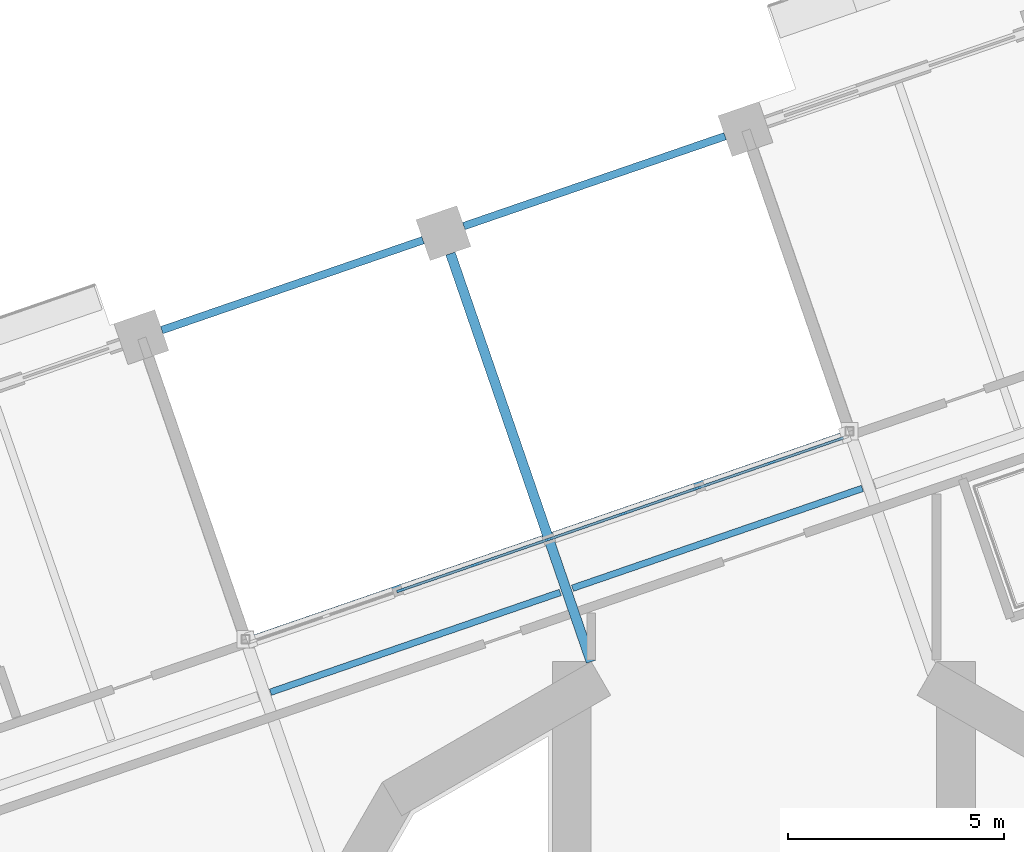
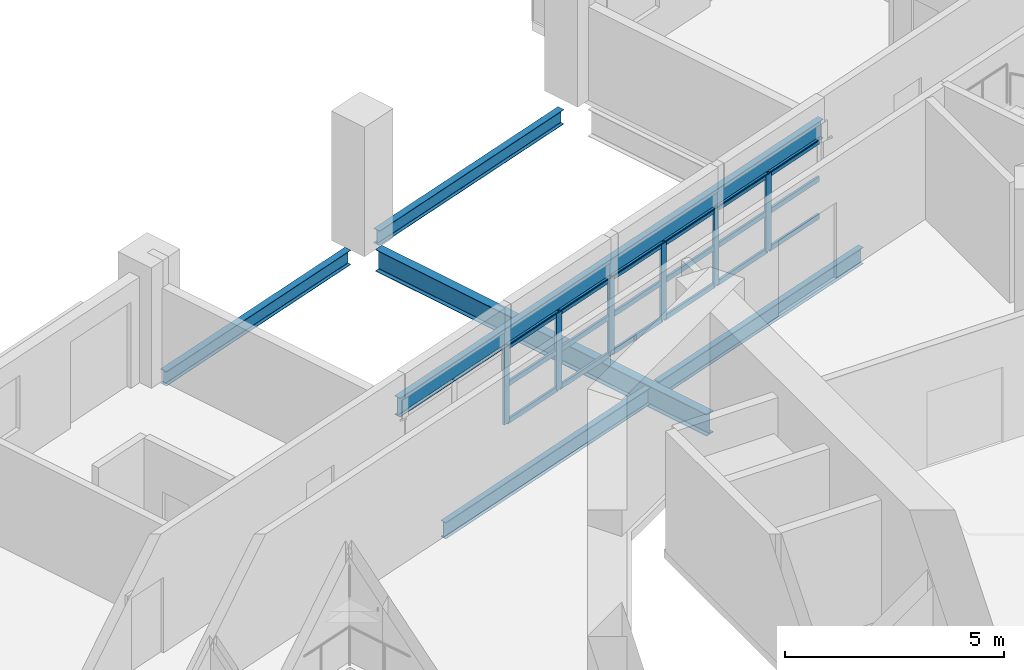
# One storey, part 3 of 22: 24 members, 6 beams, 1 element without a shape of its own.
"""IFC4 building model written with IfcOpenShell, lengths in metres."""

import ifcopenshell
import ifcopenshell.guid

model = None  # the IFC model being written
_history = None  # IfcOwnerHistory: only IFC2X3 demands one
_inside = {}  # id of a spatial element -> (the spatial element, [elements in it])
_under = {}  # id of a project, library or spatial element -> (it, [spatial elements below it])
_declared = {}  # id of a project -> (the project, [libraries it declares])
_typed = {}  # id of a type object -> (the type object, [elements of that type])
_made_of = {}  # id of a material, layer set ... -> (it, [elements and type objects made of it])


def new_model(schema):
    """Start an empty IFC model of exactly this schema.

    Asked for "IFC4X3", IfcOpenShell would pick the latest addendum, in which some entities
    have other attributes; the version numbers below select the first issue.
    IFC2X3 requires an IfcOwnerHistory on every rooted entity: one is made here for all.
    """
    global model, _history
    if schema == "IFC4X3":
        model = ifcopenshell.file(schema_version=(4, 3, 0, 0))
    else:
        model = ifcopenshell.file(schema=schema)
    _inside.clear()
    _under.clear()
    _declared.clear()
    _typed.clear()
    _made_of.clear()
    _history = None
    if model.schema == "IFC2X3":
        org = make("IfcOrganization", Name="unknown")
        user = make(
            "IfcPersonAndOrganization",
            ThePerson=make("IfcPerson", FamilyName="unknown"),
            TheOrganization=org,
        )
        app = make(
            "IfcApplication",
            ApplicationDeveloper=org,
            Version="unknown",
            ApplicationFullName="unknown",
            ApplicationIdentifier="unknown",
        )
        _history = make(
            "IfcOwnerHistory",
            OwningUser=user,
            OwningApplication=app,
            ChangeAction="ADDED",
            CreationDate=0,
        )
    return model


def make(cls, **values):
    """One entity of the class cls with the attributes given. An attribute that is None is left unset."""
    return model.create_entity(
        cls, **{name: value for name, value in values.items() if value is not None}
    )


def rooted(cls, **values):
    """An entity with a GlobalId (a new one), such as an element, a storey or a relation."""
    return make(cls, GlobalId=ifcopenshell.guid.new(), OwnerHistory=_history, **values)


def si_unit(unit_type, name, prefix=None):
    """IfcSIUnit, for example si_unit("LENGTHUNIT", "METRE", prefix="MILLI")."""
    return make("IfcSIUnit", UnitType=unit_type, Prefix=prefix, Name=name)


def assignment(units):
    """IfcUnitAssignment: the units of a project."""
    return None if units is None else make("IfcUnitAssignment", Units=units)


def point(xyz):
    """IfcCartesianPoint."""
    return None if xyz is None else make("IfcCartesianPoint", Coordinates=xyz)


def direction(xyz):
    """IfcDirection."""
    return None if xyz is None else make("IfcDirection", DirectionRatios=xyz)


def frame(location, z_axis=None, x_axis=None):
    """IfcAxis2Placement3D, a coordinate frame: its origin and axes. An axis left out is left unset."""
    return make(
        "IfcAxis2Placement3D",
        Location=point(location),
        Axis=direction(z_axis),
        RefDirection=direction(x_axis),
    )


def frame_2d(location, x_axis=None):
    """IfcAxis2Placement2D, a coordinate frame in the plane: its origin and x axis."""
    return make(
        "IfcAxis2Placement2D", Location=point(location), RefDirection=direction(x_axis)
    )


def origin():
    """The frame at (0, 0, 0) with its axes left unset."""
    return frame((0.0, 0.0, 0.0))


def origin_2d():
    """The frame at (0, 0) in the plane with its x axis left unset."""
    return frame_2d((0.0, 0.0))


def place(relative_to, where):
    """IfcLocalPlacement: puts the frame where relative to a parent placement (None: the world)."""
    return make(
        "IfcLocalPlacement", PlacementRelTo=relative_to, RelativePlacement=where
    )


def context(
    kind, dimensions, precision=None, world=None, true_north=None, identifier=None
):
    """IfcGeometricRepresentationContext, for example the 3D "Model" context."""
    return make(
        "IfcGeometricRepresentationContext",
        ContextIdentifier=identifier,
        ContextType=kind,
        CoordinateSpaceDimension=dimensions,
        Precision=precision,
        WorldCoordinateSystem=world,
        TrueNorth=true_north,
    )


def subcontext(parent, identifier, kind, view, scale=None):
    """IfcGeometricRepresentationSubContext, for example "Body" below "Model"."""
    return make(
        "IfcGeometricRepresentationSubContext",
        ContextIdentifier=identifier,
        ContextType=kind,
        ParentContext=parent,
        TargetScale=scale,
        TargetView=view,
    )


def project(units=None, contexts=None):
    """IfcProject with its units and contexts."""
    return rooted(
        "IfcProject",
        Name="project",
        RepresentationContexts=contexts,
        UnitsInContext=assignment(units),
    )


def spatial(cls, under=None, at=None, **own):
    """A site, building, storey or space (cls), placed at a placement, below another one or the project."""
    s = rooted(cls, ObjectPlacement=at, **own)
    if under is not None:
        _under.setdefault(under.id(), (under, []))[1].append(s)
    return s


def profile(cls, at=None, kind="AREA", **sizes):
    """A parametric profile (cls). Its sizes go by their IFC names, for example OverallWidth=200.0."""
    return make(cls, ProfileType=kind, Position=at, **sizes)


def rectangle(**sizes):
    """IfcRectangleProfileDef."""
    return profile("IfcRectangleProfileDef", **sizes)


def i_section(**sizes):
    """IfcIShapeProfileDef."""
    return profile("IfcIShapeProfileDef", **sizes)


def extrude(swept, where, along, depth):
    """IfcExtrudedAreaSolid: the profile swept, set in the frame where, extruded along a direction by depth."""
    return make(
        "IfcExtrudedAreaSolid",
        SweptArea=swept,
        Position=where,
        ExtrudedDirection=direction(along),
        Depth=depth,
    )


def shape(context_of_items, identifier, shape_type, items):
    """IfcShapeRepresentation: the items that make up one representation, for example the "Body"."""
    return make(
        "IfcShapeRepresentation",
        ContextOfItems=context_of_items,
        RepresentationIdentifier=identifier,
        RepresentationType=shape_type,
        Items=items,
    )


def material(Name=None, Category=None):
    """IfcMaterial."""
    return make("IfcMaterial", Name=Name, Category=Category)


def material_profile(
    of_material, cross_section, Name=None, Category=None, Priority=None
):
    """IfcMaterialProfile: a cross section and its material."""
    return make(
        "IfcMaterialProfile",
        Name=Name,
        Material=of_material,
        Profile=cross_section,
        Priority=Priority,
        Category=Category,
    )


def profile_set(profiles, Name=None, composite=None):
    """IfcMaterialProfileSet."""
    return make(
        "IfcMaterialProfileSet",
        Name=Name,
        MaterialProfiles=profiles,
        CompositeProfile=composite,
    )


def made_of(thing, what):
    """Note that an element or type object is made of a material, layer set ...; save() writes the relation."""
    if what is not None:
        _made_of.setdefault(what.id(), (what, []))[1].append(thing)
    return thing


def type_object(cls, material=None, **own):
    """A type object (cls), such as IfcWallType, which elements share."""
    return made_of(rooted(cls, **own), material)


def element(
    cls,
    number,
    at=None,
    inside=None,
    cuts=None,
    type_object=None,
    material=None,
    context=None,
    identifier="Body",
    shape_type=None,
    held_by="IfcProductDefinitionShape",
    body=None,
    shapes=None,
    **own,
):
    """One element of the class cls, such as IfcWall. Its Tag is "e" and its number.

    at: its placement. inside: the storey or other place that contains it. cuts: it is an
    opening in that element (IfcRelVoidsElement). A single representation is given by context,
    identifier, shape_type and body (its items); several are given by shapes. held_by: the class
    of the entity that holds the representations. save() writes the other relations.
    """
    e = rooted(cls, Tag="e%d" % number, ObjectPlacement=at, **own)
    if body is not None:
        shapes = [shape(context, identifier, shape_type, body)]
    if shapes is not None:
        e.Representation = make(held_by, Representations=shapes)
    if inside is not None:
        _inside.setdefault(inside.id(), (inside, []))[1].append(e)
    if cuts is not None:
        rooted(
            "IfcRelVoidsElement", RelatingBuildingElement=cuts, RelatedOpeningElement=e
        )
    if type_object is not None:
        _typed.setdefault(type_object.id(), (type_object, []))[1].append(e)
    return made_of(e, material)


def aggregate(whole, parts):
    """IfcRelAggregates: a whole, such as a stair, and the parts it consists of."""
    return rooted("IfcRelAggregates", RelatingObject=whole, RelatedObjects=parts)


def save(model, path):
    """Write the relations noted so far, then the file.

    IfcRelAggregates (storeys below a building ...), IfcRelContainedInSpatialStructure (elements
    in a storey), IfcRelDefinesByType, IfcRelAssociatesMaterial and IfcRelDeclares: one each for
    every whole, place, type object, material and project.
    """
    for whole, parts in _under.values():
        aggregate(whole, parts)
    for where, things in _inside.values():
        rooted(
            "IfcRelContainedInSpatialStructure",
            RelatedElements=things,
            RelatingStructure=where,
        )
    for kind, things in _typed.values():
        rooted("IfcRelDefinesByType", RelatedObjects=things, RelatingType=kind)
    for what, things in _made_of.values():
        rooted("IfcRelAssociatesMaterial", RelatedObjects=things, RelatingMaterial=what)
    for by, libraries in _declared.values():
        rooted("IfcRelDeclares", RelatingContext=by, RelatedDefinitions=libraries)
    model.write(path)


model = new_model("IFC4")

# Units and contexts
model_context = context("Model", 3, precision=1e-05, world=origin(), true_north=direction((0.0, 1.0)))
body_context = subcontext(model_context, "Body", "Model", "MODEL_VIEW")
ifc_project = project(units=[si_unit("LENGTHUNIT", "METRE"), si_unit("AREAUNIT", "SQUARE_METRE"), si_unit("VOLUMEUNIT", "CUBIC_METRE"), si_unit("PLANEANGLEUNIT", "RADIAN"), si_unit("MASSUNIT", "GRAM", prefix="KILO")], contexts=[model_context])

# Site, building, storey
site_placement = place(None, origin())
site = spatial("IfcSite", under=ifc_project, at=site_placement, CompositionType="ELEMENT")
building_placement = place(site_placement, origin())
building = spatial("IfcBuilding", under=site, at=building_placement, Name="Cantera Rosa Tower", CompositionType="ELEMENT")
storey_placement = place(building_placement, frame((0.0, 0.0, 138.300048828125)))
storey = spatial("IfcBuildingStorey", under=building, at=storey_placement, Name="L29", CompositionType="ELEMENT", Elevation=138.300048828125)

# Curtain wall, members
ifc_material_1 = material(Name="Aluminium frame with clear glass", Category="aluminium")
curtain_wall_type = type_object("IfcCurtainWallType", Name="CW1 TERRACE POCKET GLAZING", PredefinedType="NOTDEFINED", material=ifc_material_1)
curtain_wall_placement = place(storey_placement, origin())
curtain_wall = element("IfcCurtainWall", 1, at=curtain_wall_placement, inside=storey, type_object=curtain_wall_type, Name="CW1 CW1", PredefinedType="NOTDEFINED")
ifc_material_2 = material(Name="Anodised bronze aluminium", Category="aluminium")
ifc_material_profile_1 = material_profile(ifc_material_2, rectangle(XDim=0.06005859375, YDim=0.179931640625, at=origin_2d()), Name="CW-MULLION 60x180 POCKET")
ifc_profile_set_1 = profile_set([ifc_material_profile_1], Name="Anodised bronze aluminium")
member_type_1 = type_object("IfcMemberType", Name="CW-MULLION 60x180 POCKET", PredefinedType="MULLION", material=ifc_profile_set_1)
member_1_placement = place(storey_placement, frame((0.177734375, 16.242919921875, 0.0), z_axis=(0.0, 0.0, 1.0), x_axis=(0.325568154441, -0.945518575605, 0.0)))
member_1 = element("IfcMember", 2, at=member_1_placement, type_object=member_type_1, Name="CW1 mullion 2", PredefinedType="MULLION", context=body_context, shape_type="SweptSolid", body=[
    extrude(rectangle(XDim=0.06005859375, YDim=0.179931640625, at=origin_2d()), origin(), (0.0, 0.0, 1.0), 2.137939453125),
])
member_2_placement = place(storey_placement, frame((-1.541748046875, 15.650634765625, 0.0), z_axis=(0.0, 0.0, 1.0), x_axis=(0.325568154441, -0.945518575605, 0.0)))
member_2 = element("IfcMember", 3, at=member_2_placement, type_object=member_type_1, Name="CW1 mullion 3", PredefinedType="MULLION", context=body_context, shape_type="SweptSolid", body=[
    extrude(rectangle(XDim=0.06005859375, YDim=0.179931640625, at=origin_2d()), origin(), (0.0, 0.0, 1.0), 2.137939453125),
])
member_3_placement = place(storey_placement, frame((-3.261474609375, 15.05859375, 0.0), z_axis=(0.0, 0.0, 1.0), x_axis=(0.325568154441, -0.945518575605, 0.0)))
member_3 = element("IfcMember", 4, at=member_3_placement, type_object=member_type_1, Name="CW1 mullion 4", PredefinedType="MULLION", context=body_context, shape_type="SweptSolid", body=[
    extrude(rectangle(XDim=0.06005859375, YDim=0.179931640625, at=origin_2d()), origin(), (0.0, 0.0, 1.0), 2.137939453125),
])
member_4_placement = place(storey_placement, frame((-4.981201171875, 14.466552734375, 0.0), z_axis=(0.0, 0.0, 1.0), x_axis=(0.325568154441, -0.945518575605, 0.0)))
member_4 = element("IfcMember", 5, at=member_4_placement, type_object=member_type_1, Name="CW1 mullion 5", PredefinedType="MULLION", context=body_context, shape_type="SweptSolid", body=[
    extrude(rectangle(XDim=0.06005859375, YDim=0.179931640625, at=origin_2d()), origin(), (0.0, 0.0, 1.0), 2.137939453125),
])
member_5_placement = place(storey_placement, frame((-6.700927734375, 13.874267578125, 0.0), z_axis=(0.0, 0.0, 1.0), x_axis=(0.325568154441, -0.945518575605, 0.0)))
member_5 = element("IfcMember", 6, at=member_5_placement, type_object=member_type_1, Name="CW1 mullion 6", PredefinedType="MULLION", context=body_context, shape_type="SweptSolid", body=[
    extrude(rectangle(XDim=0.06005859375, YDim=0.179931640625, at=origin_2d()), origin(), (0.0, 0.0, 1.0), 2.137939453125),
])
member_6_placement = place(storey_placement, frame((-8.42041015625, 13.2822265625, 0.0), z_axis=(0.0, 0.0, 1.0), x_axis=(0.325568154441, -0.945518575605, 0.0)))
member_6 = element("IfcMember", 7, at=member_6_placement, type_object=member_type_1, Name="CW1 mullion 7", PredefinedType="MULLION", context=body_context, shape_type="SweptSolid", body=[
    extrude(rectangle(XDim=0.06005859375, YDim=0.179931640625, at=origin_2d()), origin(), (0.0, 0.0, 1.0), 2.137939453125),
])
ifc_material_3 = material(Name="Anodised bronze aluminium", Category="aluminium")
ifc_material_profile_2 = material_profile(ifc_material_3, rectangle(XDim=0.06005859375, YDim=0.139892578125, at=origin_2d()), Name="CW-TRANSOM 60x140 POCKET")
ifc_profile_set_2 = profile_set([ifc_material_profile_2], Name="Anodised bronze aluminium")
member_type_2 = type_object("IfcMemberType", Name="CW-TRANSOM 60x140 POCKET", PredefinedType="USERDEFINED", material=ifc_profile_set_2)
member_7_placement = place(storey_placement, frame((1.8408203125, 16.8154296875, 0.030029296875), z_axis=(-0.945545423079, -0.325490173267, 0.0), x_axis=(0.325490173267, -0.945545423079, 0.0)))
member_7 = element("IfcMember", 8, at=member_7_placement, type_object=member_type_2, Name="CW1 transom 1.1", ObjectType="TRANSOM", PredefinedType="USERDEFINED", context=body_context, shape_type="SweptSolid", body=[
    extrude(rectangle(XDim=0.06005859375, YDim=0.139892578125, at=origin_2d()), origin(), (0.0, 0.0, 1.0), 1.72900390625),
])
member_8_placement = place(storey_placement, frame((1.8408203125, 16.8154296875, 1.06884765625), z_axis=(-0.945545423079, -0.325490173267, 0.0), x_axis=(0.325490173267, -0.945545423079, 0.0)))
member_8 = element("IfcMember", 9, at=member_8_placement, type_object=member_type_2, Name="CW1 transom 1.2", ObjectType="TRANSOM", PredefinedType="USERDEFINED", context=body_context, shape_type="SweptSolid", body=[
    extrude(rectangle(XDim=0.06005859375, YDim=0.139892578125, at=origin_2d()), origin(), (0.0, 0.0, 1.0), 1.72900390625),
])
member_9_placement = place(storey_placement, frame((1.8408203125, 16.8154296875, 2.10791015625), z_axis=(-0.945545423079, -0.325490173267, 0.0), x_axis=(0.325490173267, -0.945545423079, 0.0)))
member_9 = element("IfcMember", 10, at=member_9_placement, type_object=member_type_2, Name="CW1 transom 1.3", ObjectType="TRANSOM", PredefinedType="USERDEFINED", context=body_context, shape_type="SweptSolid", body=[
    extrude(rectangle(XDim=0.06005859375, YDim=0.139892578125, at=origin_2d()), origin(), (0.0, 0.0, 1.0), 1.72900390625),
])
member_10_placement = place(storey_placement, frame((0.1494140625, 16.233154296875, 0.030029296875), z_axis=(-0.945485041755, -0.325665527523, 0.0), x_axis=(0.325665527523, -0.945485041755, 0.0)))
member_10 = element("IfcMember", 11, at=member_10_placement, type_object=member_type_2, Name="CW1 transom 2.1", ObjectType="TRANSOM", PredefinedType="USERDEFINED", context=body_context, shape_type="SweptSolid", body=[
    extrude(rectangle(XDim=0.06005859375, YDim=0.139892578125, at=origin_2d()), origin(), (0.0, 0.0, 1.0), 1.7587890625),
])
member_11_placement = place(storey_placement, frame((0.1494140625, 16.233154296875, 1.06884765625), z_axis=(-0.945485041755, -0.325665527523, 0.0), x_axis=(0.325665527523, -0.945485041755, 0.0)))
member_11 = element("IfcMember", 12, at=member_11_placement, type_object=member_type_2, Name="CW1 transom 2.2", ObjectType="TRANSOM", PredefinedType="USERDEFINED", context=body_context, shape_type="SweptSolid", body=[
    extrude(rectangle(XDim=0.06005859375, YDim=0.139892578125, at=origin_2d()), origin(), (0.0, 0.0, 1.0), 1.7587890625),
])
member_12_placement = place(storey_placement, frame((0.1494140625, 16.233154296875, 2.10791015625), z_axis=(-0.945485041755, -0.325665527523, 0.0), x_axis=(0.325665527523, -0.945485041755, 0.0)))
member_12 = element("IfcMember", 13, at=member_12_placement, type_object=member_type_2, Name="CW1 transom 2.3", ObjectType="TRANSOM", PredefinedType="USERDEFINED", context=body_context, shape_type="SweptSolid", body=[
    extrude(rectangle(XDim=0.06005859375, YDim=0.139892578125, at=origin_2d()), origin(), (0.0, 0.0, 1.0), 1.7587890625),
])
member_13_placement = place(storey_placement, frame((-1.5703125, 15.640869140625, 0.030029296875), z_axis=(-0.945527779058, -0.325541424444, 0.0), x_axis=(0.325541424444, -0.945527779058, 0.0)))
member_13 = element("IfcMember", 14, at=member_13_placement, type_object=member_type_2, Name="CW1 transom 3.1", ObjectType="TRANSOM", PredefinedType="USERDEFINED", context=body_context, shape_type="SweptSolid", body=[
    extrude(rectangle(XDim=0.06005859375, YDim=0.139892578125, at=origin_2d()), origin(), (0.0, 0.0, 1.0), 1.758544921875),
])
member_14_placement = place(storey_placement, frame((-1.5703125, 15.640869140625, 1.06884765625), z_axis=(-0.945527779058, -0.325541424444, 0.0), x_axis=(0.325541424444, -0.945527779058, 0.0)))
member_14 = element("IfcMember", 15, at=member_14_placement, type_object=member_type_2, Name="CW1 transom 3.2", ObjectType="TRANSOM", PredefinedType="USERDEFINED", context=body_context, shape_type="SweptSolid", body=[
    extrude(rectangle(XDim=0.06005859375, YDim=0.139892578125, at=origin_2d()), origin(), (0.0, 0.0, 1.0), 1.758544921875),
])
member_15_placement = place(storey_placement, frame((-1.5703125, 15.640869140625, 2.10791015625), z_axis=(-0.945527779058, -0.325541424444, 0.0), x_axis=(0.325541424444, -0.945527779058, 0.0)))
member_15 = element("IfcMember", 16, at=member_15_placement, type_object=member_type_2, Name="CW1 transom 3.3", ObjectType="TRANSOM", PredefinedType="USERDEFINED", context=body_context, shape_type="SweptSolid", body=[
    extrude(rectangle(XDim=0.06005859375, YDim=0.139892578125, at=origin_2d()), origin(), (0.0, 0.0, 1.0), 1.758544921875),
])
member_16_placement = place(storey_placement, frame((-3.289794921875, 15.048828125, 0.030029296875), z_axis=(-0.945542488305, -0.325498698631, 0.0), x_axis=(0.325498698631, -0.945542488305, 0.0)))
member_16 = element("IfcMember", 17, at=member_16_placement, type_object=member_type_2, Name="CW1 transom 4.1", ObjectType="TRANSOM", PredefinedType="USERDEFINED", context=body_context, shape_type="SweptSolid", body=[
    extrude(rectangle(XDim=0.06005859375, YDim=0.139892578125, at=origin_2d()), origin(), (0.0, 0.0, 1.0), 1.7587890625),
])
member_17_placement = place(storey_placement, frame((-3.289794921875, 15.048828125, 1.06884765625), z_axis=(-0.945542488305, -0.325498698631, 0.0), x_axis=(0.325498698631, -0.945542488305, 0.0)))
member_17 = element("IfcMember", 18, at=member_17_placement, type_object=member_type_2, Name="CW1 transom 4.2", ObjectType="TRANSOM", PredefinedType="USERDEFINED", context=body_context, shape_type="SweptSolid", body=[
    extrude(rectangle(XDim=0.06005859375, YDim=0.139892578125, at=origin_2d()), origin(), (0.0, 0.0, 1.0), 1.7587890625),
])
member_18_placement = place(storey_placement, frame((-3.289794921875, 15.048828125, 2.10791015625), z_axis=(-0.945542488305, -0.325498698631, 0.0), x_axis=(0.325498698631, -0.945542488305, 0.0)))
member_18 = element("IfcMember", 19, at=member_18_placement, type_object=member_type_2, Name="CW1 transom 4.3", ObjectType="TRANSOM", PredefinedType="USERDEFINED", context=body_context, shape_type="SweptSolid", body=[
    extrude(rectangle(XDim=0.06005859375, YDim=0.139892578125, at=origin_2d()), origin(), (0.0, 0.0, 1.0), 1.7587890625),
])
member_19_placement = place(storey_placement, frame((-5.009521484375, 14.456787109375, 0.030029296875), z_axis=(-0.945499761554, -0.325622789284, 0.0), x_axis=(0.325622789284, -0.945499761554, 0.0)))
member_19 = element("IfcMember", 20, at=member_19_placement, type_object=member_type_2, Name="CW1 transom 5.1", ObjectType="TRANSOM", PredefinedType="USERDEFINED", context=body_context, shape_type="SweptSolid", body=[
    extrude(rectangle(XDim=0.06005859375, YDim=0.139892578125, at=origin_2d()), origin(), (0.0, 0.0, 1.0), 1.759033203125),
])
member_20_placement = place(storey_placement, frame((-5.009521484375, 14.456787109375, 1.06884765625), z_axis=(-0.945499761554, -0.325622789284, 0.0), x_axis=(0.325622789284, -0.945499761554, 0.0)))
member_20 = element("IfcMember", 21, at=member_20_placement, type_object=member_type_2, Name="CW1 transom 5.2", ObjectType="TRANSOM", PredefinedType="USERDEFINED", context=body_context, shape_type="SweptSolid", body=[
    extrude(rectangle(XDim=0.06005859375, YDim=0.139892578125, at=origin_2d()), origin(), (0.0, 0.0, 1.0), 1.759033203125),
])
member_21_placement = place(storey_placement, frame((-5.009521484375, 14.456787109375, 2.10791015625), z_axis=(-0.945499761554, -0.325622789284, 0.0), x_axis=(0.325622789284, -0.945499761554, 0.0)))
member_21 = element("IfcMember", 22, at=member_21_placement, type_object=member_type_2, Name="CW1 transom 5.3", ObjectType="TRANSOM", PredefinedType="USERDEFINED", context=body_context, shape_type="SweptSolid", body=[
    extrude(rectangle(XDim=0.06005859375, YDim=0.139892578125, at=origin_2d()), origin(), (0.0, 0.0, 1.0), 1.759033203125),
])
member_22_placement = place(storey_placement, frame((-6.729248046875, 13.864501953125, 0.030029296875), z_axis=(-0.945527779058, -0.325541424444, 0.0), x_axis=(0.325541424444, -0.945527779058, 0.0)))
member_22 = element("IfcMember", 23, at=member_22_placement, type_object=member_type_2, Name="CW1 transom 6.1", ObjectType="TRANSOM", PredefinedType="USERDEFINED", context=body_context, shape_type="SweptSolid", body=[
    extrude(rectangle(XDim=0.06005859375, YDim=0.139892578125, at=origin_2d()), origin(), (0.0, 0.0, 1.0), 1.758544921875),
])
member_23_placement = place(storey_placement, frame((-6.729248046875, 13.864501953125, 1.06884765625), z_axis=(-0.945527779058, -0.325541424444, 0.0), x_axis=(0.325541424444, -0.945527779058, 0.0)))
member_23 = element("IfcMember", 24, at=member_23_placement, type_object=member_type_2, Name="CW1 transom 6.2", ObjectType="TRANSOM", PredefinedType="USERDEFINED", context=body_context, shape_type="SweptSolid", body=[
    extrude(rectangle(XDim=0.06005859375, YDim=0.139892578125, at=origin_2d()), origin(), (0.0, 0.0, 1.0), 1.758544921875),
])
member_24_placement = place(storey_placement, frame((-6.729248046875, 13.864501953125, 2.10791015625), z_axis=(-0.945527779058, -0.325541424444, 0.0), x_axis=(0.325541424444, -0.945527779058, 0.0)))
member_24 = element("IfcMember", 25, at=member_24_placement, type_object=member_type_2, Name="CW1 transom 6.3", ObjectType="TRANSOM", PredefinedType="USERDEFINED", context=body_context, shape_type="SweptSolid", body=[
    extrude(rectangle(XDim=0.06005859375, YDim=0.139892578125, at=origin_2d()), origin(), (0.0, 0.0, 1.0), 1.758544921875),
])
aggregate(curtain_wall, [member_1, member_2, member_3, member_4, member_5, member_6, member_7, member_8, member_9, member_10, member_11, member_12, member_13, member_14, member_15, member_16, member_17, member_18, member_19, member_20, member_21, member_22, member_23, member_24])

# Beams
ifc_material_4 = material(Name="Steel ASTM A992 (Fy 345 MPa)", Category="steel")
ifc_material_profile_3 = material_profile(ifc_material_4, i_section(OverallWidth=0.154052734375, OverallDepth=0.4599609375, WebThickness=0.009033203125, FlangeThickness=0.015380859375, FilletRadius=0.01025390625, at=origin_2d()), Name="W460X68")
ifc_profile_set_3 = profile_set([ifc_material_profile_3], Name="Steel ASTM A992 (Fy 345 MPa)")
beam_type_1 = type_object("IfcBeamType", Name="STEEL BEAM W460X68", PredefinedType="BEAM", material=ifc_profile_set_3)
beam_1_placement = place(storey_placement, frame((-11.42919921875, 10.924072265625, -0.47998046875), z_axis=(0.945518325606, 0.32556888049, 0.0), x_axis=(-0.32556888049, 0.945518325606, 0.0)))
element("IfcBeam", 26, at=beam_1_placement, inside=storey, type_object=beam_type_1, Name="RB-Z2-02 L29", PredefinedType="BEAM", context=body_context, shape_type="SweptSolid", body=[
    extrude(i_section(OverallWidth=0.154052734375, OverallDepth=0.4599609375, WebThickness=0.009033203125, FlangeThickness=0.015380859375, FilletRadius=0.01025390625, at=origin_2d()), origin(), (0.0, 0.0, 1.0), 7.099853515625),
])
beam_2_placement = place(storey_placement, frame((-4.432373046875, 13.333251953125, -0.47998046875), z_axis=(0.945507740063, 0.325599621437, 0.0), x_axis=(-0.325599621437, 0.945507740063, 0.0)))
element("IfcBeam", 27, at=beam_2_placement, inside=storey, type_object=beam_type_1, Name="RB-Z2-03 L29", PredefinedType="BEAM", context=body_context, shape_type="SweptSolid", body=[
    extrude(i_section(OverallWidth=0.154052734375, OverallDepth=0.4599609375, WebThickness=0.009033203125, FlangeThickness=0.015380859375, FilletRadius=0.01025390625, at=origin_2d()), origin(), (0.0, 0.0, 1.0), 7.10009765625),
])
ifc_material_5 = material(Name="Steel ASTM A992 (Fy 345 MPa)", Category="steel")
ifc_material_profile_4 = material_profile(ifc_material_5, i_section(OverallWidth=0.166015625, OverallDepth=0.528076171875, WebThickness=0.009765625, FlangeThickness=0.013671875, FilletRadius=0.0126953125, at=origin_2d()), Name="W530X74")
ifc_profile_set_4 = profile_set([ifc_material_profile_4], Name="Steel ASTM A992 (Fy 345 MPa)")
beam_type_2 = type_object("IfcBeamType", Name="STEEL BEAM W530X74", PredefinedType="BEAM", material=ifc_profile_set_4)
beam_3_placement = place(storey_placement, frame((1.9521484375, 16.906494140625, 2.404052734375), z_axis=(-0.945523255262, -0.325554563413, 0.0), x_axis=(0.325554563413, -0.945523255262, 0.0)))
element("IfcBeam", 28, at=beam_3_placement, inside=storey, type_object=beam_type_2, Name="LINTEL SL-L29", PredefinedType="BEAM", context=body_context, shape_type="SweptSolid", body=[
    extrude(i_section(OverallWidth=0.166015625, OverallDepth=0.528076171875, WebThickness=0.009765625, FlangeThickness=0.013671875, FilletRadius=0.0126953125, at=origin_2d()), origin(), (0.0, 0.0, 1.0), 14.699951171875),
])
ifc_material_6 = material(Name="Steel ASTM A992 (Fy 345 MPa)", Category="steel")
ifc_material_profile_5 = material_profile(ifc_material_6, i_section(OverallWidth=0.22802734375, OverallDepth=0.60205078125, WebThickness=0.010498046875, FlangeThickness=0.014892578125, FilletRadius=0.0126953125, at=origin_2d()), Name="W610X101")
ifc_profile_set_5 = profile_set([ifc_material_profile_5], Name="Steel ASTM A992 (Fy 345 MPa)")
beam_type_3 = type_object("IfcBeamType", Name="STEEL BEAM W610X101", PredefinedType="BEAM", material=ifc_profile_set_5)
beam_4_placement = place(storey_placement, frame((-7.26025390625, 21.0849609375, -0.551025390625), z_axis=(0.325587365823, -0.945511960377, 0.0), x_axis=(0.945511960377, 0.325587365823, 0.0)))
element("IfcBeam", 29, at=beam_4_placement, inside=storey, type_object=beam_type_3, Name="G-Z2-07 L29", PredefinedType="BEAM", context=body_context, shape_type="SweptSolid", body=[
    extrude(i_section(OverallWidth=0.22802734375, OverallDepth=0.60205078125, WebThickness=0.010498046875, FlangeThickness=0.014892578125, FilletRadius=0.0126953125, at=origin_2d()), origin(), (0.0, 0.0, 1.0), 10.0),
])
ifc_material_7 = material(Name="Steel ASTM A992 (Fy 345 MPa)", Category="steel")
ifc_material_profile_6 = material_profile(ifc_material_7, i_section(OverallWidth=0.177978515625, OverallDepth=0.406005859375, WebThickness=0.0078125, FlangeThickness=0.0126953125, FilletRadius=0.01025390625, at=origin_2d()), Name="W410X60")
ifc_profile_set_6 = profile_set([ifc_material_profile_6], Name="Steel ASTM A992 (Fy 345 MPa)")
beam_type_4 = type_object("IfcBeamType", Name="STEEL SPANDREL BEAM W410X60", PredefinedType="SPANDREL", material=ifc_profile_set_6)
for number, where, z_axis, x_axis, name in (
    (30, (-0.89892578125, 23.80419921875, -0.453125), (-0.945524496524, -0.325550958337, 0.0), (0.325550958337, -0.945524496524, 0.0), "EB-Z2-10 L29"),
    (31, (-7.895751953125, 21.39501953125, -0.453125), (-0.945524496524, -0.325550958337, 0.0), (0.325550958337, -0.945524496524, 0.0), "EB-Z2-11 L29"),
):
    element("IfcBeam", number, at=place(storey_placement, frame(where, z_axis=z_axis, x_axis=x_axis)), inside=storey, type_object=beam_type_4, Name=name, PredefinedType="SPANDREL", context=body_context, shape_type="SweptSolid", body=[
        extrude(i_section(OverallWidth=0.177978515625, OverallDepth=0.406005859375, WebThickness=0.0078125, FlangeThickness=0.0126953125, FilletRadius=0.01025390625, at=origin_2d()), origin(), (0.0, 0.0, 1.0), 6.39990234375),
    ])

save(model, "model.ifc")
